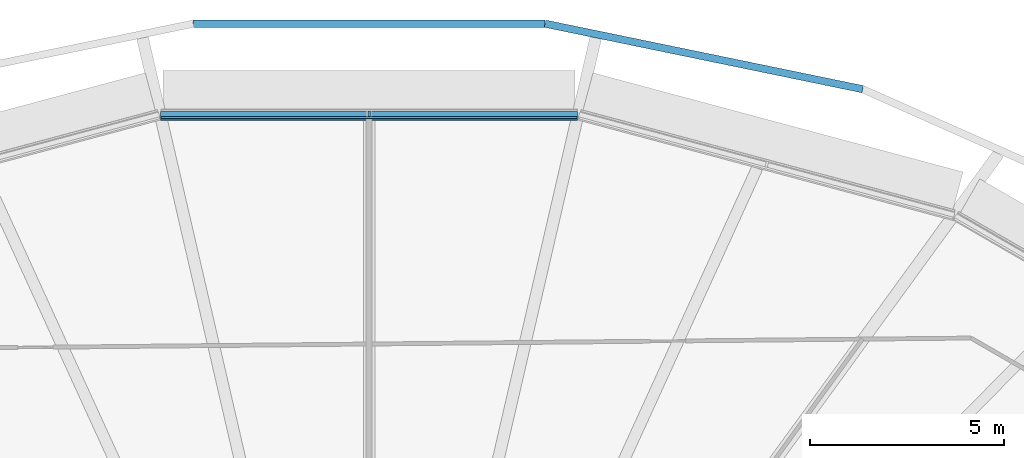
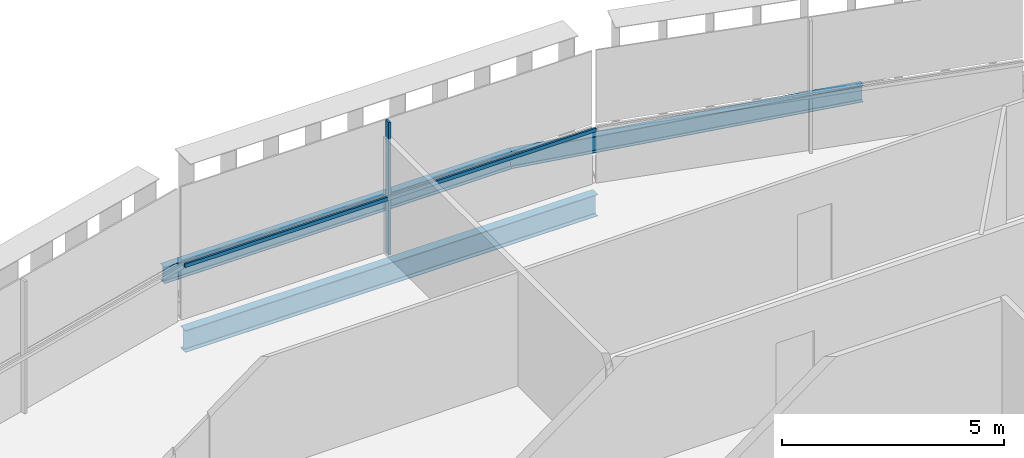
# One storey, part 10 of 24: 3 beams, 2 members, 1 element without a shape of its own.
"""IFC4 building model written with IfcOpenShell, lengths in metres."""

from ifc_helpers import new_model, si_unit, direction, frame, origin, origin_2d, place, context, subcontext, project, spatial, rectangle, i_section, extrude, material, layer, layer_set, material_profile, profile_set, type_object, element, aggregate, save


model = new_model("IFC4")

# Units and contexts
model_context = context("Model", 3, precision=1e-05, world=origin(), true_north=direction((0.0, 1.0)))
body_context = subcontext(model_context, "Body", "Model", "MODEL_VIEW")
ifc_project = project(units=[si_unit("LENGTHUNIT", "METRE"), si_unit("AREAUNIT", "SQUARE_METRE"), si_unit("VOLUMEUNIT", "CUBIC_METRE"), si_unit("PLANEANGLEUNIT", "RADIAN"), si_unit("MASSUNIT", "GRAM", prefix="KILO")], contexts=[model_context])

# Site, building, storey
site_placement = place(None, origin())
site = spatial("IfcSite", under=ifc_project, at=site_placement, CompositionType="ELEMENT")
building_placement = place(site_placement, origin())
building = spatial("IfcBuilding", under=site, at=building_placement, Name="Sahrelin Media Tower", CompositionType="ELEMENT")
storey_placement = place(building_placement, frame((0.0, 0.0, 71.39990234375)))
storey = spatial("IfcBuildingStorey", under=building, at=storey_placement, Name="L12", CompositionType="ELEMENT", Elevation=71.39990234375)

# Beam
ifc_material_1 = material(Name="Steel S355", Category="steel")
ifc_material_profile_1 = material_profile(ifc_material_1, i_section(OverallWidth=0.2275390625, OverallDepth=0.6025390625, WebThickness=0.010498046875, FlangeThickness=0.014892578125, FilletRadius=0.0126953125, at=origin_2d()), Name="UB 610x229x101")
ifc_profile_set_1 = profile_set([ifc_material_profile_1], Name="Steel S355")
beam_type_1 = type_object("IfcBeamType", Name="Edge beam EB7", PredefinedType="BEAM", material=ifc_profile_set_1)
beam_1_placement = place(storey_placement, frame((-5.369384765625, 23.224853515625, -0.451171875), z_axis=(1.0, 0.0, 0.0), x_axis=(0.0, 1.0, 0.0)))
element("IfcBeam", 1, at=beam_1_placement, inside=storey, type_object=beam_type_1, Name="Edge beam L12-18", PredefinedType="BEAM", context=body_context, shape_type="SweptSolid", body=[
    extrude(i_section(OverallWidth=0.2275390625, OverallDepth=0.6025390625, WebThickness=0.010498046875, FlangeThickness=0.014892578125, FilletRadius=0.0126953125, at=origin_2d()), origin(), (0.0, 0.0, 1.0), 10.73876953125),
])

# Curtain wall, member
ifc_material_2 = material(Name="Champagne anodised aluminium 6063-T6", Category="aluminium")
ifc_layer = layer(ifc_material_2, 0.14990234375)
ifc_layer_set = layer_set([ifc_layer], Name="Tower ribbon curtain wall")
curtain_wall_type = type_object("IfcCurtainWallType", Name="Tower ribbon curtain wall", PredefinedType="NOTDEFINED", material=ifc_layer_set)
curtain_wall_placement = place(storey_placement, frame((0.0, 23.374755859375, 0.0), z_axis=(0.0, 0.0, 1.0), x_axis=(1.0, 0.0, 0.0)))
curtain_wall = element("IfcCurtainWall", 2, at=curtain_wall_placement, inside=storey, type_object=curtain_wall_type, Name="L12:CW:L12-06", PredefinedType="NOTDEFINED")
ifc_material_profile_2 = material_profile(ifc_material_2, rectangle(XDim=0.06005859375, YDim=0.14990234375, at=origin_2d()), Name="Mullion 60x150")
ifc_profile_set_2 = profile_set([ifc_material_profile_2], Name="Champagne anodised aluminium 6063-T6")
member_type_1 = type_object("IfcMemberType", Name="Mullion 60x150 CW1", PredefinedType="MULLION", material=ifc_profile_set_2)
member_1_placement = place(storey_placement, frame((0.0, 23.27978515625, 0.0), z_axis=(0.0, 0.0, 1.0), x_axis=(-1.0, 0.0, 0.0)))
member_1 = element("IfcMember", 3, at=member_1_placement, type_object=member_type_1, Name="L12:CWM:L12-06", PredefinedType="MULLION", context=body_context, shape_type="SweptSolid", body=[
    extrude(rectangle(XDim=0.06005859375, YDim=0.14990234375, at=origin_2d()), origin(), (0.0, 0.0, 1.0), 3.648681640625),
])

# Beams
ifc_material_profile_3 = material_profile(ifc_material_1, i_section(OverallWidth=0.1904296875, OverallDepth=0.45703125, WebThickness=0.009033203125, FlangeThickness=0.014404296875, FilletRadius=0.01025390625, at=origin_2d()), Name="UB 457x191x74")
ifc_profile_set_3 = profile_set([ifc_material_profile_3], Name="Steel S355")
beam_type_2 = type_object("IfcBeamType", Name="Tie chord TC5", PredefinedType="BEAM", material=ifc_profile_set_3)
beam_2_placement = place(storey_placement, frame((12.70654296875, 23.912109375, -0.37841796875), z_axis=(-0.979386660518, 0.201994478141, 0.0), x_axis=(-0.201994478141, -0.979386660518, 0.0)))
element("IfcBeam", 4, at=beam_2_placement, inside=storey, type_object=beam_type_2, Name="Tie chord L12-05", PredefinedType="BEAM", context=body_context, shape_type="SweptSolid", body=[
    extrude(i_section(OverallWidth=0.1904296875, OverallDepth=0.45703125, WebThickness=0.009033203125, FlangeThickness=0.014404296875, FilletRadius=0.01025390625, at=origin_2d()), origin(), (0.0, 0.0, 1.0), 8.349365234375),
])
beam_3_placement = place(storey_placement, frame((4.529296875, 25.5986328125, -0.37841796875), z_axis=(-1.0, 0.0, 0.0), x_axis=(0.0, -1.0, 0.0)))
element("IfcBeam", 5, at=beam_3_placement, inside=storey, type_object=beam_type_2, Name="Tie chord L12-06", PredefinedType="BEAM", context=body_context, shape_type="SweptSolid", body=[
    extrude(i_section(OverallWidth=0.1904296875, OverallDepth=0.45703125, WebThickness=0.009033203125, FlangeThickness=0.014404296875, FilletRadius=0.01025390625, at=origin_2d()), origin(), (0.0, 0.0, 1.0), 9.05859375),
])

# Member
ifc_material_profile_4 = material_profile(ifc_material_2, rectangle(XDim=0.050048828125, YDim=0.10009765625, at=origin_2d()), Name="Transom 50x100")
ifc_profile_set_4 = profile_set([ifc_material_profile_4], Name="Champagne anodised aluminium 6063-T6")
member_type_2 = type_object("IfcMemberType", Name="Transom 50x100 CW1", PredefinedType="USERDEFINED", material=ifc_profile_set_4)
member_2_placement = place(storey_placement, frame((5.353759765625, 23.1796875, 1.60009765625), z_axis=(-1.0, 0.0, 0.0), x_axis=(0.0, -1.0, 0.0)))
member_2 = element("IfcMember", 6, at=member_2_placement, type_object=member_type_2, Name="L12:CWT:L12-06", ObjectType="TRANSOM", PredefinedType="USERDEFINED", context=body_context, shape_type="SweptSolid", body=[
    extrude(rectangle(XDim=0.050048828125, YDim=0.10009765625, at=origin_2d()), origin(), (0.0, 0.0, 1.0), 10.70751953125),
])

aggregate(curtain_wall, [member_1, member_2])

save(model, "model.ifc")
